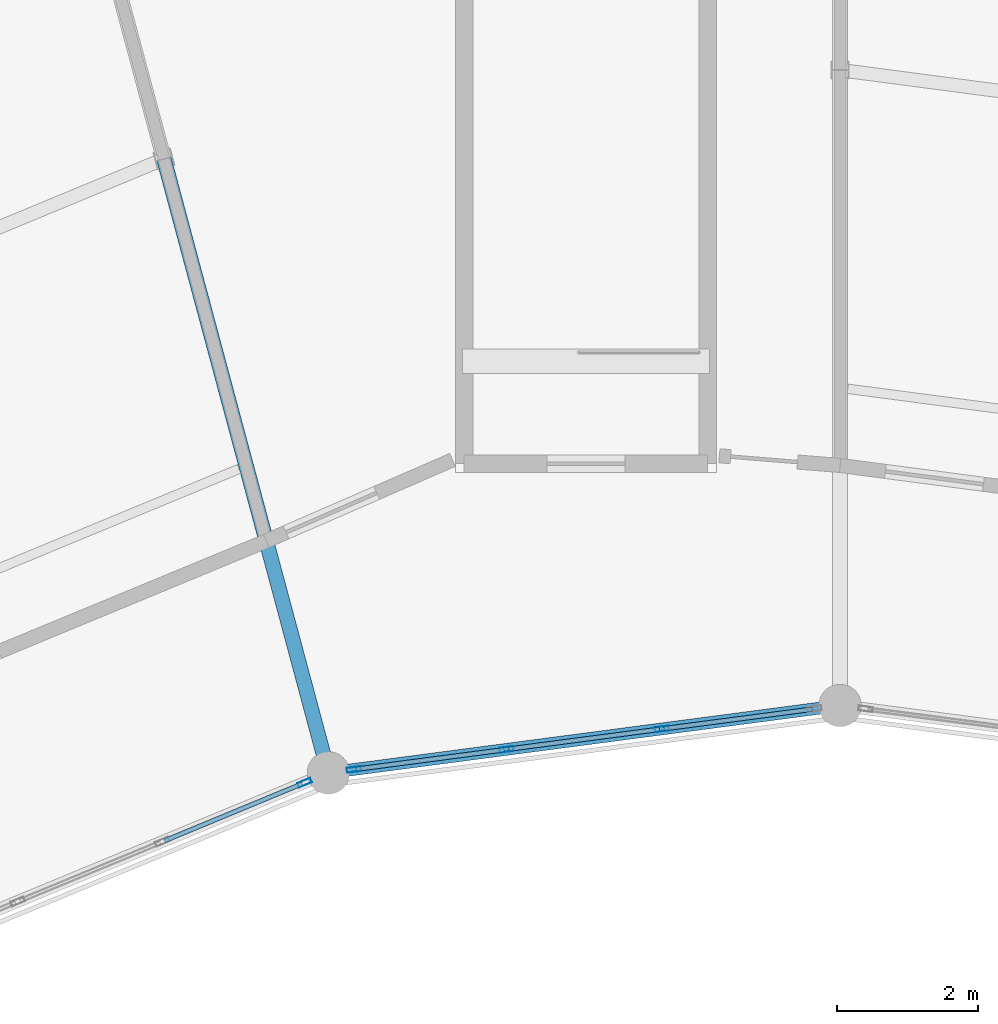
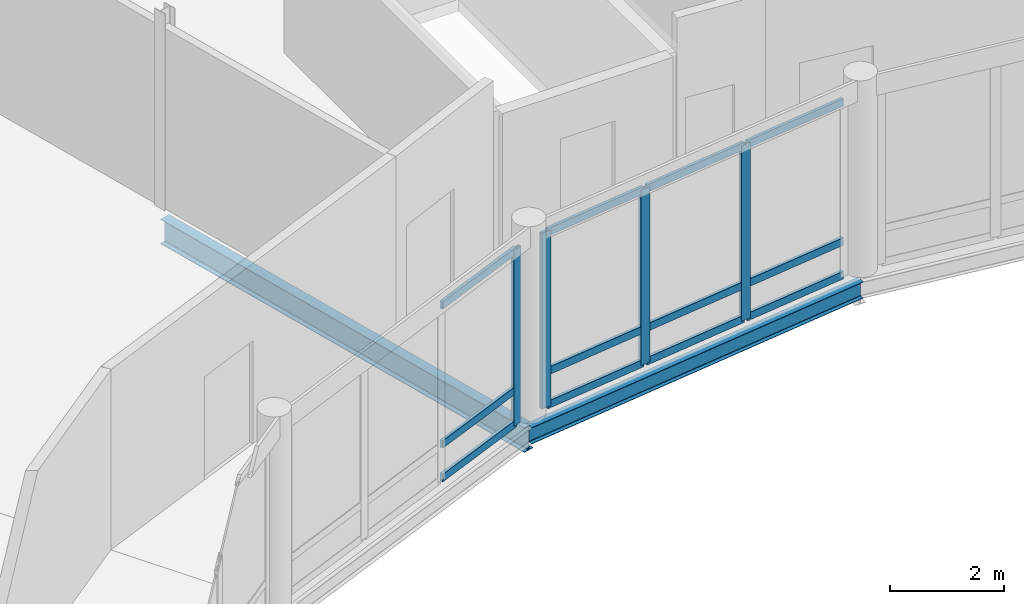
# One storey, part 97 of 200: 16 members, 2 beams, 2 elements without a shape of their own.
"""IFC4 building model written with IfcOpenShell, lengths in metres."""

from ifc_helpers import new_model, si_unit, direction, frame, origin, origin_2d, place, context, subcontext, project, spatial, hollow_rectangle, i_section, extrude, material, material_profile, profile_set, type_object, element, aggregate, save


model = new_model("IFC4")

# Units and contexts
model_context = context("Model", 3, precision=1e-05, world=origin(), true_north=direction((0.0, 1.0)))
body_context = subcontext(model_context, "Body", "Model", "MODEL_VIEW")
ifc_project = project(units=[si_unit("LENGTHUNIT", "METRE"), si_unit("AREAUNIT", "SQUARE_METRE"), si_unit("VOLUMEUNIT", "CUBIC_METRE"), si_unit("PLANEANGLEUNIT", "RADIAN"), si_unit("MASSUNIT", "GRAM", prefix="KILO")], contexts=[model_context])

# Site, building, storey
site_placement = place(None, origin())
site = spatial("IfcSite", under=ifc_project, at=site_placement, CompositionType="ELEMENT")
building_placement = place(site_placement, origin())
building = spatial("IfcBuilding", under=site, at=building_placement, Name="Vondelvale Polytechnic", CompositionType="ELEMENT")
storey_placement = place(building_placement, frame((0.0, 0.0, 13.800048828125)))
storey = spatial("IfcBuildingStorey", under=building, at=storey_placement, Name="L03", CompositionType="ELEMENT", Elevation=13.800048828125)

# Beams
ifc_material_1 = material(Name="Steel 300PLUS (fy = 300 MPa)", Category="steel")
ifc_material_profile_1 = material_profile(ifc_material_1, i_section(OverallWidth=0.1708984375, OverallDepth=0.35205078125, WebThickness=0.0068359375, FlangeThickness=0.009765625, FilletRadius=0.011474609375, at=origin_2d()), Name="360UB44.7")
ifc_profile_set_1 = profile_set([ifc_material_profile_1], Name="Steel 300PLUS (fy = 300 MPa)")
beam_type_1 = type_object("IfcBeamType", Name="BM-UB360L", PredefinedType="BEAM", material=ifc_profile_set_1)
beam_1_placement = place(storey_placement, frame((102.0, 100.0, -0.426025390625), z_axis=(-0.991444174467, -0.13053140969, 0.0), x_axis=(0.13053140969, -0.991444174467, 0.0)))
element("IfcBeam", 1, at=beam_1_placement, inside=storey, type_object=beam_type_1, Name="L03 RB B-24", PredefinedType="BEAM", context=body_context, shape_type="SweptSolid", body=[
    extrude(i_section(OverallWidth=0.1708984375, OverallDepth=0.35205078125, WebThickness=0.0068359375, FlangeThickness=0.009765625, FilletRadius=0.011474609375, at=origin_2d()), origin(), (0.0, 0.0, 1.0), 7.309326171875),
])
ifc_material_profile_2 = material_profile(ifc_material_1, i_section(OverallWidth=0.208984375, OverallDepth=0.528076171875, WebThickness=0.009521484375, FlangeThickness=0.01318359375, FilletRadius=0.013916015625, at=origin_2d()), Name="530UB82.0")
ifc_profile_set_2 = profile_set([ifc_material_profile_2], Name="Steel 300PLUS (fy = 300 MPa)")
beam_type_2 = type_object("IfcBeamType", Name="BM-UB530L", PredefinedType="BEAM", material=ifc_profile_set_2)
beam_2_placement = place(storey_placement, frame((94.753173828125, 99.0458984375, -0.51416015625), z_axis=(-0.258840941576, 0.965919958881, 0.0), x_axis=(-0.965919958881, -0.258840941576, 0.0)))
element("IfcBeam", 2, at=beam_2_placement, inside=storey, type_object=beam_type_2, Name="L03 RG B-21", PredefinedType="BEAM", context=body_context, shape_type="SweptSolid", body=[
    extrude(i_section(OverallWidth=0.208984375, OverallDepth=0.528076171875, WebThickness=0.009521484375, FlangeThickness=0.01318359375, FilletRadius=0.013916015625, at=origin_2d()), origin(), (0.0, 0.0, 1.0), 9.0),
])

# Curtain wall, members
ifc_material_2 = material(Name="Anodised extruded aluminium 6063-T6", Category="aluminium")
curtain_wall_type = type_object("IfcCurtainWallType", Name="CW-RING-CLOISTER", PredefinedType="NOTDEFINED", material=ifc_material_2)
curtain_wall_1_placement = place(storey_placement, origin())
curtain_wall_1 = element("IfcCurtainWall", 3, at=curtain_wall_1_placement, inside=storey, type_object=curtain_wall_type, Name="L03 architectural curtain wall CW-03-163", PredefinedType="NOTDEFINED")
ifc_material_profile_3 = material_profile(ifc_material_2, hollow_rectangle(XDim=0.070068359375, YDim=0.199951171875, WallThickness=0.00390625, at=origin_2d()), Name="CW-MUL-200x70")
ifc_profile_set_3 = profile_set([ifc_material_profile_3], Name="Anodised extruded aluminium 6063-T6")
member_type_1 = type_object("IfcMemberType", Name="CW-MUL-70x200", PredefinedType="MULLION", material=ifc_profile_set_3)
member_1_placement = place(storey_placement, frame((99.475830078125, 99.667724609375, 0.0), z_axis=(0.0, 0.0, 1.0), x_axis=(0.130528007165, -0.99144462243, 0.0)))
member_1 = element("IfcMember", 4, at=member_1_placement, type_object=member_type_1, Name="CW-03-163 mullion 2", PredefinedType="MULLION", context=body_context, shape_type="SweptSolid", body=[
    extrude(hollow_rectangle(XDim=0.070068359375, YDim=0.199951171875, WallThickness=0.00390625, at=origin_2d()), origin(), (0.0, 0.0, 1.0), 3.75),
])
member_2_placement = place(storey_placement, frame((97.27734375, 99.378173828125, 0.0), z_axis=(0.0, 0.0, 1.0), x_axis=(0.130528007165, -0.99144462243, 0.0)))
member_2 = element("IfcMember", 5, at=member_2_placement, type_object=member_type_1, Name="CW-03-163 mullion 3", PredefinedType="MULLION", context=body_context, shape_type="SweptSolid", body=[
    extrude(hollow_rectangle(XDim=0.070068359375, YDim=0.199951171875, WallThickness=0.00390625, at=origin_2d()), origin(), (0.0, 0.0, 1.0), 3.75),
])
member_3_placement = place(storey_placement, frame((95.113525390625, 99.09326171875, 0.0), z_axis=(0.0, 0.0, 1.0), x_axis=(0.130528007165, -0.99144462243, 0.0)))
member_3 = element("IfcMember", 6, at=member_3_placement, type_object=member_type_1, Name="CW-03-163 mullion 4", PredefinedType="MULLION", context=body_context, shape_type="SweptSolid", body=[
    extrude(hollow_rectangle(XDim=0.070068359375, YDim=0.199951171875, WallThickness=0.00390625, at=origin_2d()), origin(), (0.0, 0.0, 1.0), 3.75),
])

# Curtain wall, member
curtain_wall_2_placement = place(storey_placement, origin())
curtain_wall_2 = element("IfcCurtainWall", 7, at=curtain_wall_2_placement, inside=storey, type_object=curtain_wall_type, Name="L03 architectural curtain wall CW-03-183", PredefinedType="NOTDEFINED")
member_4_placement = place(storey_placement, frame((94.415771484375, 98.90625, 0.0), z_axis=(0.0, 0.0, 1.0), x_axis=(0.382678531697, -0.923881562419, 0.0)))
member_4 = element("IfcMember", 8, at=member_4_placement, type_object=member_type_1, Name="CW-03-183 mullion 1", PredefinedType="MULLION", context=body_context, shape_type="SweptSolid", body=[
    extrude(hollow_rectangle(XDim=0.070068359375, YDim=0.199951171875, WallThickness=0.00390625, at=origin_2d()), origin(), (0.0, 0.0, 1.0), 3.75),
])

# Member
ifc_material_profile_4 = material_profile(ifc_material_2, hollow_rectangle(XDim=0.06494140625, YDim=0.159912109375, WallThickness=0.00341796875, at=origin_2d()), Name="CW-TRN-160x65")
ifc_profile_set_4 = profile_set([ifc_material_profile_4], Name="Anodised extruded aluminium 6063-T6")
member_type_2 = type_object("IfcMemberType", Name="CW-TRN-70x160", PredefinedType="USERDEFINED", material=ifc_profile_set_4)
member_5_placement = place(storey_placement, frame((101.604736328125, 99.947998046875, 0.032470703125), z_axis=(-0.99143461464, -0.130604000296, 0.0), x_axis=(0.130604000296, -0.99143461464, 0.0)))
member_5 = element("IfcMember", 9, at=member_5_placement, type_object=member_type_2, Name="CW-03-163 transom 1.1", ObjectType="TRANSOM", PredefinedType="USERDEFINED", context=body_context, shape_type="SweptSolid", body=[
    extrude(hollow_rectangle(XDim=0.06494140625, YDim=0.159912109375, WallThickness=0.00341796875, at=origin_2d()), origin(), (0.0, 0.0, 1.0), 2.1123046875),
])

member_6_placement = place(storey_placement, frame((101.604736328125, 99.947998046875, 0.75), z_axis=(-0.99143461464, -0.130604000296, 0.0), x_axis=(0.130604000296, -0.99143461464, 0.0)))
member_6 = element("IfcMember", 10, at=member_6_placement, type_object=member_type_2, Name="CW-03-163 transom 1.2", ObjectType="TRANSOM", PredefinedType="USERDEFINED", context=body_context, shape_type="SweptSolid", body=[
    extrude(hollow_rectangle(XDim=0.06494140625, YDim=0.159912109375, WallThickness=0.00341796875, at=origin_2d()), origin(), (0.0, 0.0, 1.0), 2.1123046875),
])

member_7_placement = place(storey_placement, frame((101.604736328125, 99.947998046875, 3.717529296875), z_axis=(-0.99143461464, -0.130604000296, 0.0), x_axis=(0.130604000296, -0.99143461464, 0.0)))
member_7 = element("IfcMember", 11, at=member_7_placement, type_object=member_type_2, Name="CW-03-163 transom 1.3", ObjectType="TRANSOM", PredefinedType="USERDEFINED", context=body_context, shape_type="SweptSolid", body=[
    extrude(hollow_rectangle(XDim=0.06494140625, YDim=0.159912109375, WallThickness=0.00341796875, at=origin_2d()), origin(), (0.0, 0.0, 1.0), 2.1123046875),
])

member_8_placement = place(storey_placement, frame((99.441162109375, 99.6630859375, 0.032470703125), z_axis=(-0.991446941977, -0.1305103875, 0.0), x_axis=(0.1305103875, -0.991446941977, 0.0)))
member_8 = element("IfcMember", 12, at=member_8_placement, type_object=member_type_2, Name="CW-03-163 transom 2.1", ObjectType="TRANSOM", PredefinedType="USERDEFINED", context=body_context, shape_type="SweptSolid", body=[
    extrude(hollow_rectangle(XDim=0.06494140625, YDim=0.159912109375, WallThickness=0.00341796875, at=origin_2d()), origin(), (0.0, 0.0, 1.0), 2.1474609375),
])

member_9_placement = place(storey_placement, frame((99.441162109375, 99.6630859375, 0.75), z_axis=(-0.991446941977, -0.1305103875, 0.0), x_axis=(0.1305103875, -0.991446941977, 0.0)))
member_9 = element("IfcMember", 13, at=member_9_placement, type_object=member_type_2, Name="CW-03-163 transom 2.2", ObjectType="TRANSOM", PredefinedType="USERDEFINED", context=body_context, shape_type="SweptSolid", body=[
    extrude(hollow_rectangle(XDim=0.06494140625, YDim=0.159912109375, WallThickness=0.00341796875, at=origin_2d()), origin(), (0.0, 0.0, 1.0), 2.1474609375),
])

member_10_placement = place(storey_placement, frame((99.441162109375, 99.6630859375, 3.717529296875), z_axis=(-0.991446941977, -0.1305103875, 0.0), x_axis=(0.1305103875, -0.991446941977, 0.0)))
member_10 = element("IfcMember", 14, at=member_10_placement, type_object=member_type_2, Name="CW-03-163 transom 2.3", ObjectType="TRANSOM", PredefinedType="USERDEFINED", context=body_context, shape_type="SweptSolid", body=[
    extrude(hollow_rectangle(XDim=0.06494140625, YDim=0.159912109375, WallThickness=0.00341796875, at=origin_2d()), origin(), (0.0, 0.0, 1.0), 2.1474609375),
])

member_11_placement = place(storey_placement, frame((97.24267578125, 99.373779296875, 0.032470703125), z_axis=(-0.991436585775, -0.130589036243, 0.0), x_axis=(0.130589036243, -0.991436585775, 0.0)))
member_11 = element("IfcMember", 15, at=member_11_placement, type_object=member_type_2, Name="CW-03-163 transom 3.1", ObjectType="TRANSOM", PredefinedType="USERDEFINED", context=body_context, shape_type="SweptSolid", body=[
    extrude(hollow_rectangle(XDim=0.06494140625, YDim=0.159912109375, WallThickness=0.00341796875, at=origin_2d()), origin(), (0.0, 0.0, 1.0), 2.112548828125),
])

member_12_placement = place(storey_placement, frame((97.24267578125, 99.373779296875, 0.75), z_axis=(-0.991436585775, -0.130589036243, 0.0), x_axis=(0.130589036243, -0.991436585775, 0.0)))
member_12 = element("IfcMember", 16, at=member_12_placement, type_object=member_type_2, Name="CW-03-163 transom 3.2", ObjectType="TRANSOM", PredefinedType="USERDEFINED", context=body_context, shape_type="SweptSolid", body=[
    extrude(hollow_rectangle(XDim=0.06494140625, YDim=0.159912109375, WallThickness=0.00341796875, at=origin_2d()), origin(), (0.0, 0.0, 1.0), 2.112548828125),
])

member_13_placement = place(storey_placement, frame((97.24267578125, 99.373779296875, 3.717529296875), z_axis=(-0.991436585775, -0.130589036243, 0.0), x_axis=(0.130589036243, -0.991436585775, 0.0)))
member_13 = element("IfcMember", 17, at=member_13_placement, type_object=member_type_2, Name="CW-03-163 transom 3.3", ObjectType="TRANSOM", PredefinedType="USERDEFINED", context=body_context, shape_type="SweptSolid", body=[
    extrude(hollow_rectangle(XDim=0.06494140625, YDim=0.159912109375, WallThickness=0.00341796875, at=origin_2d()), origin(), (0.0, 0.0, 1.0), 2.112548828125),
])

aggregate(curtain_wall_1, [member_1, member_2, member_3, member_5, member_6, member_7, member_8, member_9, member_10, member_11, member_12, member_13])

member_14_placement = place(storey_placement, frame((94.383544921875, 98.892822265625, 0.032470703125), z_axis=(-0.923861804277, -0.382726229306, 0.0), x_axis=(0.382726229306, -0.923861804277, 0.0)))
member_14 = element("IfcMember", 18, at=member_14_placement, type_object=member_type_2, Name="CW-03-183 transom 1.1", ObjectType="TRANSOM", PredefinedType="USERDEFINED", context=body_context, shape_type="SweptSolid", body=[
    extrude(hollow_rectangle(XDim=0.06494140625, YDim=0.159912109375, WallThickness=0.00341796875, at=origin_2d()), origin(), (0.0, 0.0, 1.0), 2.111328125),
])

member_15_placement = place(storey_placement, frame((94.383544921875, 98.892822265625, 0.75), z_axis=(-0.923861804277, -0.382726229306, 0.0), x_axis=(0.382726229306, -0.923861804277, 0.0)))
member_15 = element("IfcMember", 19, at=member_15_placement, type_object=member_type_2, Name="CW-03-183 transom 1.2", ObjectType="TRANSOM", PredefinedType="USERDEFINED", context=body_context, shape_type="SweptSolid", body=[
    extrude(hollow_rectangle(XDim=0.06494140625, YDim=0.159912109375, WallThickness=0.00341796875, at=origin_2d()), origin(), (0.0, 0.0, 1.0), 2.111328125),
])

member_16_placement = place(storey_placement, frame((94.383544921875, 98.892822265625, 3.717529296875), z_axis=(-0.923861804277, -0.382726229306, 0.0), x_axis=(0.382726229306, -0.923861804277, 0.0)))
member_16 = element("IfcMember", 20, at=member_16_placement, type_object=member_type_2, Name="CW-03-183 transom 1.3", ObjectType="TRANSOM", PredefinedType="USERDEFINED", context=body_context, shape_type="SweptSolid", body=[
    extrude(hollow_rectangle(XDim=0.06494140625, YDim=0.159912109375, WallThickness=0.00341796875, at=origin_2d()), origin(), (0.0, 0.0, 1.0), 2.111328125),
])

aggregate(curtain_wall_2, [member_4, member_14, member_15, member_16])

save(model, "model.ifc")
